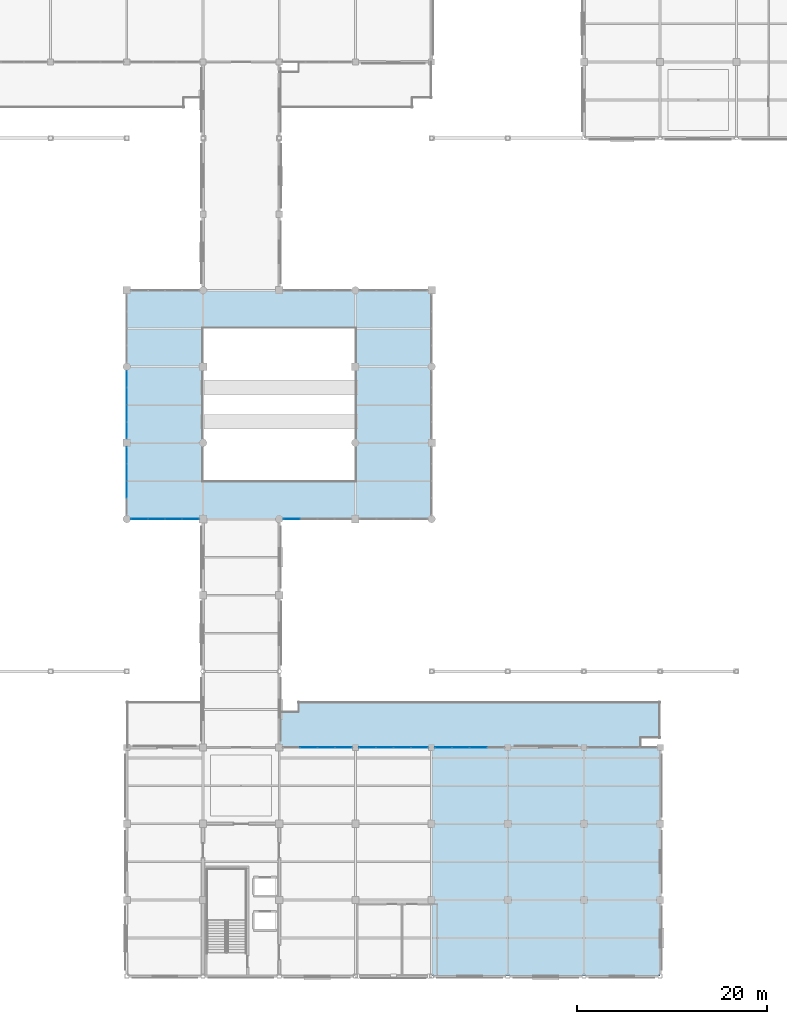
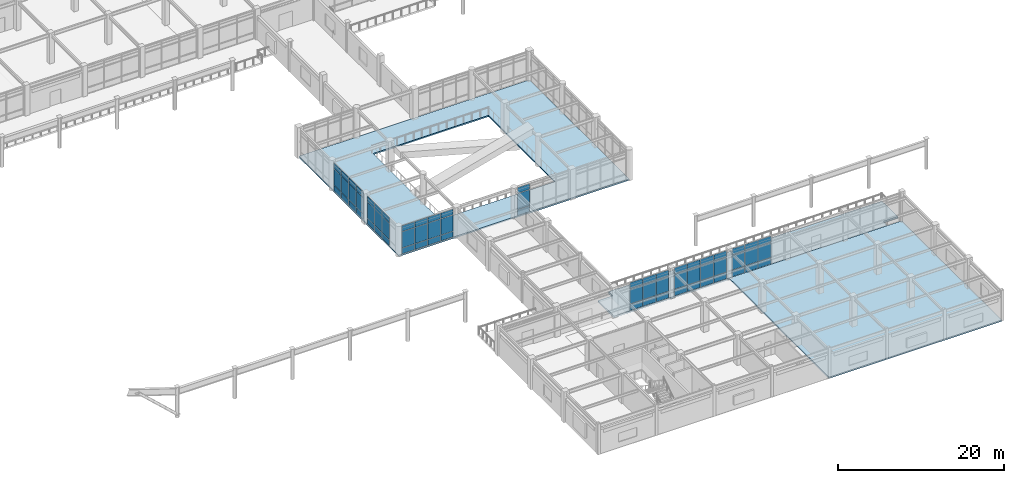
# One storey, part 55 of 78: 66 plates, 3 slabs, 7 elements without a shape of their own.
"""IFC4 building model written with IfcOpenShell, lengths in metres."""

from ifc_helpers import new_model, si_unit, direction, frame, origin, origin_2d, place, context, subcontext, project, spatial, polyline, rectangle, outline, extrude, material, layer, layer_set, type_object, element, aggregate, save


model = new_model("IFC4")

# Units and contexts
model_context = context("Model", 3, precision=1e-05, world=origin(), true_north=direction((0.0, 1.0)))
body_context = subcontext(model_context, "Body", "Model", "MODEL_VIEW")
ifc_project = project(units=[si_unit("LENGTHUNIT", "METRE"), si_unit("AREAUNIT", "SQUARE_METRE"), si_unit("VOLUMEUNIT", "CUBIC_METRE"), si_unit("PLANEANGLEUNIT", "RADIAN"), si_unit("MASSUNIT", "GRAM", prefix="KILO")], contexts=[model_context])

# Site, building, storey
site_placement = place(None, origin())
site = spatial("IfcSite", under=ifc_project, at=site_placement, CompositionType="ELEMENT")
building_placement = place(site_placement, origin())
building = spatial("IfcBuilding", under=site, at=building_placement, Name="Solmirada Galleria", CompositionType="ELEMENT")
storey_placement = place(building_placement, frame((0.0, 0.0, 23.89990234375)))
storey = spatial("IfcBuildingStorey", under=building, at=storey_placement, Name="L05", CompositionType="ELEMENT", Elevation=23.89990234375)

# Curtain wall, plates
ifc_material_1 = material(Name="Impact-resistant low-E double glazing", Category="glass")
curtain_wall_type_1 = type_object("IfcCurtainWallType", Name="CW-FZ3-L05-B4-L072", PredefinedType="NOTDEFINED", material=ifc_material_1)
curtain_wall_1_placement = place(storey_placement, origin())
curtain_wall_1 = element("IfcCurtainWall", 1, at=curtain_wall_1_placement, inside=storey, type_object=curtain_wall_type_1, Name="Terrace and arcade storefront CW-L05-163", PredefinedType="NOTDEFINED")
ifc_layer_1 = layer(ifc_material_1, 0.028076171875)
ifc_layer_set_1 = layer_set([ifc_layer_1], Name="Impact-resistant low-E double glazing")
plate_type_1 = type_object("IfcPlateType", Name="CW-PNL-CW33-T28", PredefinedType="CURTAIN_PANEL", material=ifc_layer_set_1)
plate_1_placement = place(storey_placement, frame((86.68359375, 48.0, 0.06005859375), z_axis=(0.0, 0.0, 1.0), x_axis=(-1.0, 0.0, 0.0)))
plate_1 = element("IfcPlate", 2, at=plate_1_placement, type_object=plate_type_1, Name="CW33 panel 1.1", PredefinedType="CURTAIN_PANEL", context=body_context, shape_type="SweptSolid", body=[
    extrude(rectangle(XDim=1.708984375, YDim=0.028076171875, at=origin_2d()), origin(), (0.0, 0.0, 1.0), 0.81005859375),
])
plate_2_placement = place(storey_placement, frame((86.68359375, 48.0, 0.929931640625), z_axis=(0.0, 0.0, 1.0), x_axis=(-1.0, 0.0, 0.0)))
plate_2 = element("IfcPlate", 3, at=plate_2_placement, type_object=plate_type_1, Name="CW33 panel 1.2", PredefinedType="CURTAIN_PANEL", context=body_context, shape_type="SweptSolid", body=[
    extrude(rectangle(XDim=1.708984375, YDim=0.028076171875, at=origin_2d()), origin(), (0.0, 0.0, 1.0), 2.35009765625),
])
plate_3_placement = place(storey_placement, frame((86.68359375, 48.0, 3.33984375), z_axis=(0.0, 0.0, 1.0), x_axis=(-1.0, 0.0, 0.0)))
plate_3 = element("IfcPlate", 4, at=plate_3_placement, type_object=plate_type_1, Name="CW33 panel 1.3", PredefinedType="CURTAIN_PANEL", context=body_context, shape_type="SweptSolid", body=[
    extrude(rectangle(XDim=1.708984375, YDim=0.028076171875, at=origin_2d()), origin(), (0.0, 0.0, 1.0), 0.820068359375),
])
plate_4_placement = place(storey_placement, frame((84.8994140625, 48.0, 0.06005859375), z_axis=(0.0, 0.0, 1.0), x_axis=(-1.0, 0.0, 0.0)))
plate_4 = element("IfcPlate", 5, at=plate_4_placement, type_object=plate_type_1, Name="CW33 panel 2.1", PredefinedType="CURTAIN_PANEL", context=body_context, shape_type="SweptSolid", body=[
    extrude(rectangle(XDim=1.739013671875, YDim=0.028076171875, at=origin_2d()), origin(), (0.0, 0.0, 1.0), 0.81005859375),
])
plate_5_placement = place(storey_placement, frame((84.8994140625, 48.0, 0.929931640625), z_axis=(0.0, 0.0, 1.0), x_axis=(-1.0, 0.0, 0.0)))
plate_5 = element("IfcPlate", 6, at=plate_5_placement, type_object=plate_type_1, Name="CW33 panel 2.2", PredefinedType="CURTAIN_PANEL", context=body_context, shape_type="SweptSolid", body=[
    extrude(rectangle(XDim=1.739013671875, YDim=0.028076171875, at=origin_2d()), origin(), (0.0, 0.0, 1.0), 2.35009765625),
])
plate_6_placement = place(storey_placement, frame((84.8994140625, 48.0, 3.33984375), z_axis=(0.0, 0.0, 1.0), x_axis=(-1.0, 0.0, 0.0)))
plate_6 = element("IfcPlate", 7, at=plate_6_placement, type_object=plate_type_1, Name="CW33 panel 2.3", PredefinedType="CURTAIN_PANEL", context=body_context, shape_type="SweptSolid", body=[
    extrude(rectangle(XDim=1.739013671875, YDim=0.028076171875, at=origin_2d()), origin(), (0.0, 0.0, 1.0), 0.820068359375),
])
plate_7_placement = place(storey_placement, frame((83.1005859375, 48.0, 0.06005859375), z_axis=(0.0, 0.0, 1.0), x_axis=(-1.0, 0.0, 0.0)))
plate_7 = element("IfcPlate", 8, at=plate_7_placement, type_object=plate_type_1, Name="CW33 panel 3.1", PredefinedType="CURTAIN_PANEL", context=body_context, shape_type="SweptSolid", body=[
    extrude(rectangle(XDim=1.739013671875, YDim=0.028076171875, at=origin_2d()), origin(), (0.0, 0.0, 1.0), 0.81005859375),
])
plate_8_placement = place(storey_placement, frame((83.1005859375, 48.0, 0.929931640625), z_axis=(0.0, 0.0, 1.0), x_axis=(-1.0, 0.0, 0.0)))
plate_8 = element("IfcPlate", 9, at=plate_8_placement, type_object=plate_type_1, Name="CW33 panel 3.2", PredefinedType="CURTAIN_PANEL", context=body_context, shape_type="SweptSolid", body=[
    extrude(rectangle(XDim=1.739013671875, YDim=0.028076171875, at=origin_2d()), origin(), (0.0, 0.0, 1.0), 2.35009765625),
])
plate_9_placement = place(storey_placement, frame((83.1005859375, 48.0, 3.33984375), z_axis=(0.0, 0.0, 1.0), x_axis=(-1.0, 0.0, 0.0)))
plate_9 = element("IfcPlate", 10, at=plate_9_placement, type_object=plate_type_1, Name="CW33 panel 3.3", PredefinedType="CURTAIN_PANEL", context=body_context, shape_type="SweptSolid", body=[
    extrude(rectangle(XDim=1.739013671875, YDim=0.028076171875, at=origin_2d()), origin(), (0.0, 0.0, 1.0), 0.820068359375),
])
plate_10_placement = place(storey_placement, frame((81.31640625, 48.0, 0.06005859375), z_axis=(0.0, 0.0, 1.0), x_axis=(-1.0, 0.0, 0.0)))
plate_10 = element("IfcPlate", 11, at=plate_10_placement, type_object=plate_type_1, Name="CW33 panel 4.1", PredefinedType="CURTAIN_PANEL", context=body_context, shape_type="SweptSolid", body=[
    extrude(rectangle(XDim=1.708984375, YDim=0.028076171875, at=origin_2d()), origin(), (0.0, 0.0, 1.0), 0.81005859375),
])
plate_11_placement = place(storey_placement, frame((81.31640625, 48.0, 0.929931640625), z_axis=(0.0, 0.0, 1.0), x_axis=(-1.0, 0.0, 0.0)))
plate_11 = element("IfcPlate", 12, at=plate_11_placement, type_object=plate_type_1, Name="CW33 panel 4.2", PredefinedType="CURTAIN_PANEL", context=body_context, shape_type="SweptSolid", body=[
    extrude(rectangle(XDim=1.708984375, YDim=0.028076171875, at=origin_2d()), origin(), (0.0, 0.0, 1.0), 2.35009765625),
])
plate_12_placement = place(storey_placement, frame((81.31640625, 48.0, 3.33984375), z_axis=(0.0, 0.0, 1.0), x_axis=(-1.0, 0.0, 0.0)))
plate_12 = element("IfcPlate", 13, at=plate_12_placement, type_object=plate_type_1, Name="CW33 panel 4.3", PredefinedType="CURTAIN_PANEL", context=body_context, shape_type="SweptSolid", body=[
    extrude(rectangle(XDim=1.708984375, YDim=0.028076171875, at=origin_2d()), origin(), (0.0, 0.0, 1.0), 0.820068359375),
])
aggregate(curtain_wall_1, [plate_1, plate_2, plate_3, plate_4, plate_5, plate_6, plate_7, plate_8, plate_9, plate_10, plate_11, plate_12])

curtain_wall_2_placement = place(storey_placement, origin())
curtain_wall_2 = element("IfcCurtainWall", 14, at=curtain_wall_2_placement, inside=storey, type_object=curtain_wall_type_1, Name="Terrace and arcade storefront CW-L05-164", PredefinedType="NOTDEFINED")
plate_13_placement = place(storey_placement, frame((80.0, 51.1005859375, 0.06005859375), z_axis=(0.0, 0.0, 1.0), x_axis=(0.0, 1.0, 0.0)))
plate_13 = element("IfcPlate", 15, at=plate_13_placement, type_object=plate_type_1, Name="CW33 panel 2.1", PredefinedType="CURTAIN_PANEL", context=body_context, shape_type="SweptSolid", body=[
    extrude(rectangle(XDim=1.739013671875, YDim=0.028076171875, at=origin_2d()), origin(), (0.0, 0.0, 1.0), 0.81005859375),
])
plate_14_placement = place(storey_placement, frame((80.0, 51.1005859375, 0.929931640625), z_axis=(0.0, 0.0, 1.0), x_axis=(0.0, 1.0, 0.0)))
plate_14 = element("IfcPlate", 16, at=plate_14_placement, type_object=plate_type_1, Name="CW33 panel 2.2", PredefinedType="CURTAIN_PANEL", context=body_context, shape_type="SweptSolid", body=[
    extrude(rectangle(XDim=1.739013671875, YDim=0.028076171875, at=origin_2d()), origin(), (0.0, 0.0, 1.0), 2.35009765625),
])
plate_15_placement = place(storey_placement, frame((80.0, 51.1005859375, 3.33984375), z_axis=(0.0, 0.0, 1.0), x_axis=(0.0, 1.0, 0.0)))
plate_15 = element("IfcPlate", 17, at=plate_15_placement, type_object=plate_type_1, Name="CW33 panel 2.3", PredefinedType="CURTAIN_PANEL", context=body_context, shape_type="SweptSolid", body=[
    extrude(rectangle(XDim=1.739013671875, YDim=0.028076171875, at=origin_2d()), origin(), (0.0, 0.0, 1.0), 0.820068359375),
])
plate_16_placement = place(storey_placement, frame((80.0, 52.8994140625, 0.06005859375), z_axis=(0.0, 0.0, 1.0), x_axis=(0.0, 1.0, 0.0)))
plate_16 = element("IfcPlate", 18, at=plate_16_placement, type_object=plate_type_1, Name="CW33 panel 3.1", PredefinedType="CURTAIN_PANEL", context=body_context, shape_type="SweptSolid", body=[
    extrude(rectangle(XDim=1.739013671875, YDim=0.028076171875, at=origin_2d()), origin(), (0.0, 0.0, 1.0), 0.81005859375),
])
plate_17_placement = place(storey_placement, frame((80.0, 52.8994140625, 0.929931640625), z_axis=(0.0, 0.0, 1.0), x_axis=(0.0, 1.0, 0.0)))
plate_17 = element("IfcPlate", 19, at=plate_17_placement, type_object=plate_type_1, Name="CW33 panel 3.2", PredefinedType="CURTAIN_PANEL", context=body_context, shape_type="SweptSolid", body=[
    extrude(rectangle(XDim=1.739013671875, YDim=0.028076171875, at=origin_2d()), origin(), (0.0, 0.0, 1.0), 2.35009765625),
])
plate_18_placement = place(storey_placement, frame((80.0, 52.8994140625, 3.33984375), z_axis=(0.0, 0.0, 1.0), x_axis=(0.0, 1.0, 0.0)))
plate_18 = element("IfcPlate", 20, at=plate_18_placement, type_object=plate_type_1, Name="CW33 panel 3.3", PredefinedType="CURTAIN_PANEL", context=body_context, shape_type="SweptSolid", body=[
    extrude(rectangle(XDim=1.739013671875, YDim=0.028076171875, at=origin_2d()), origin(), (0.0, 0.0, 1.0), 0.820068359375),
])
plate_19_placement = place(storey_placement, frame((80.0, 54.68359375, 0.06005859375), z_axis=(0.0, 0.0, 1.0), x_axis=(0.0, 1.0, 0.0)))
plate_19 = element("IfcPlate", 21, at=plate_19_placement, type_object=plate_type_1, Name="CW33 panel 4.1", PredefinedType="CURTAIN_PANEL", context=body_context, shape_type="SweptSolid", body=[
    extrude(rectangle(XDim=1.708984375, YDim=0.028076171875, at=origin_2d()), origin(), (0.0, 0.0, 1.0), 0.81005859375),
])
plate_20_placement = place(storey_placement, frame((80.0, 54.68359375, 0.929931640625), z_axis=(0.0, 0.0, 1.0), x_axis=(0.0, 1.0, 0.0)))
plate_20 = element("IfcPlate", 22, at=plate_20_placement, type_object=plate_type_1, Name="CW33 panel 4.2", PredefinedType="CURTAIN_PANEL", context=body_context, shape_type="SweptSolid", body=[
    extrude(rectangle(XDim=1.708984375, YDim=0.028076171875, at=origin_2d()), origin(), (0.0, 0.0, 1.0), 2.35009765625),
])
plate_21_placement = place(storey_placement, frame((80.0, 54.68359375, 3.33984375), z_axis=(0.0, 0.0, 1.0), x_axis=(0.0, 1.0, 0.0)))
plate_21 = element("IfcPlate", 23, at=plate_21_placement, type_object=plate_type_1, Name="CW33 panel 4.3", PredefinedType="CURTAIN_PANEL", context=body_context, shape_type="SweptSolid", body=[
    extrude(rectangle(XDim=1.708984375, YDim=0.028076171875, at=origin_2d()), origin(), (0.0, 0.0, 1.0), 0.820068359375),
])
aggregate(curtain_wall_2, [plate_13, plate_14, plate_15, plate_16, plate_17, plate_18, plate_19, plate_20, plate_21])

curtain_wall_3_placement = place(storey_placement, origin())
curtain_wall_3 = element("IfcCurtainWall", 24, at=curtain_wall_3_placement, inside=storey, type_object=curtain_wall_type_1, Name="Terrace and arcade storefront CW-L05-165", PredefinedType="NOTDEFINED")
plate_22_placement = place(storey_placement, frame((80.0, 57.31640625, 0.06005859375), z_axis=(0.0, 0.0, 1.0), x_axis=(0.0, 1.0, 0.0)))
plate_22 = element("IfcPlate", 25, at=plate_22_placement, type_object=plate_type_1, Name="CW33 panel 1.1", PredefinedType="CURTAIN_PANEL", context=body_context, shape_type="SweptSolid", body=[
    extrude(rectangle(XDim=1.708984375, YDim=0.028076171875, at=origin_2d()), origin(), (0.0, 0.0, 1.0), 0.81005859375),
])
plate_23_placement = place(storey_placement, frame((80.0, 57.31640625, 0.929931640625), z_axis=(0.0, 0.0, 1.0), x_axis=(0.0, 1.0, 0.0)))
plate_23 = element("IfcPlate", 26, at=plate_23_placement, type_object=plate_type_1, Name="CW33 panel 1.2", PredefinedType="CURTAIN_PANEL", context=body_context, shape_type="SweptSolid", body=[
    extrude(rectangle(XDim=1.708984375, YDim=0.028076171875, at=origin_2d()), origin(), (0.0, 0.0, 1.0), 2.35009765625),
])
plate_24_placement = place(storey_placement, frame((80.0, 57.31640625, 3.33984375), z_axis=(0.0, 0.0, 1.0), x_axis=(0.0, 1.0, 0.0)))
plate_24 = element("IfcPlate", 27, at=plate_24_placement, type_object=plate_type_1, Name="CW33 panel 1.3", PredefinedType="CURTAIN_PANEL", context=body_context, shape_type="SweptSolid", body=[
    extrude(rectangle(XDim=1.708984375, YDim=0.028076171875, at=origin_2d()), origin(), (0.0, 0.0, 1.0), 0.820068359375),
])
plate_25_placement = place(storey_placement, frame((80.0, 59.1005859375, 0.06005859375), z_axis=(0.0, 0.0, 1.0), x_axis=(0.0, 1.0, 0.0)))
plate_25 = element("IfcPlate", 28, at=plate_25_placement, type_object=plate_type_1, Name="CW33 panel 2.1", PredefinedType="CURTAIN_PANEL", context=body_context, shape_type="SweptSolid", body=[
    extrude(rectangle(XDim=1.739013671875, YDim=0.028076171875, at=origin_2d()), origin(), (0.0, 0.0, 1.0), 0.81005859375),
])
plate_26_placement = place(storey_placement, frame((80.0, 59.1005859375, 0.929931640625), z_axis=(0.0, 0.0, 1.0), x_axis=(0.0, 1.0, 0.0)))
plate_26 = element("IfcPlate", 29, at=plate_26_placement, type_object=plate_type_1, Name="CW33 panel 2.2", PredefinedType="CURTAIN_PANEL", context=body_context, shape_type="SweptSolid", body=[
    extrude(rectangle(XDim=1.739013671875, YDim=0.028076171875, at=origin_2d()), origin(), (0.0, 0.0, 1.0), 2.35009765625),
])
plate_27_placement = place(storey_placement, frame((80.0, 59.1005859375, 3.33984375), z_axis=(0.0, 0.0, 1.0), x_axis=(0.0, 1.0, 0.0)))
plate_27 = element("IfcPlate", 30, at=plate_27_placement, type_object=plate_type_1, Name="CW33 panel 2.3", PredefinedType="CURTAIN_PANEL", context=body_context, shape_type="SweptSolid", body=[
    extrude(rectangle(XDim=1.739013671875, YDim=0.028076171875, at=origin_2d()), origin(), (0.0, 0.0, 1.0), 0.820068359375),
])
plate_28_placement = place(storey_placement, frame((80.0, 60.8994140625, 0.06005859375), z_axis=(0.0, 0.0, 1.0), x_axis=(0.0, 1.0, 0.0)))
plate_28 = element("IfcPlate", 31, at=plate_28_placement, type_object=plate_type_1, Name="CW33 panel 3.1", PredefinedType="CURTAIN_PANEL", context=body_context, shape_type="SweptSolid", body=[
    extrude(rectangle(XDim=1.739013671875, YDim=0.028076171875, at=origin_2d()), origin(), (0.0, 0.0, 1.0), 0.81005859375),
])
plate_29_placement = place(storey_placement, frame((80.0, 60.8994140625, 0.929931640625), z_axis=(0.0, 0.0, 1.0), x_axis=(0.0, 1.0, 0.0)))
plate_29 = element("IfcPlate", 32, at=plate_29_placement, type_object=plate_type_1, Name="CW33 panel 3.2", PredefinedType="CURTAIN_PANEL", context=body_context, shape_type="SweptSolid", body=[
    extrude(rectangle(XDim=1.739013671875, YDim=0.028076171875, at=origin_2d()), origin(), (0.0, 0.0, 1.0), 2.35009765625),
])
plate_30_placement = place(storey_placement, frame((80.0, 60.8994140625, 3.33984375), z_axis=(0.0, 0.0, 1.0), x_axis=(0.0, 1.0, 0.0)))
plate_30 = element("IfcPlate", 33, at=plate_30_placement, type_object=plate_type_1, Name="CW33 panel 3.3", PredefinedType="CURTAIN_PANEL", context=body_context, shape_type="SweptSolid", body=[
    extrude(rectangle(XDim=1.739013671875, YDim=0.028076171875, at=origin_2d()), origin(), (0.0, 0.0, 1.0), 0.820068359375),
])
plate_31_placement = place(storey_placement, frame((80.0, 62.68359375, 0.06005859375), z_axis=(0.0, 0.0, 1.0), x_axis=(0.0, 1.0, 0.0)))
plate_31 = element("IfcPlate", 34, at=plate_31_placement, type_object=plate_type_1, Name="CW33 panel 4.1", PredefinedType="CURTAIN_PANEL", context=body_context, shape_type="SweptSolid", body=[
    extrude(rectangle(XDim=1.708984375, YDim=0.028076171875, at=origin_2d()), origin(), (0.0, 0.0, 1.0), 0.81005859375),
])
plate_32_placement = place(storey_placement, frame((80.0, 62.68359375, 0.929931640625), z_axis=(0.0, 0.0, 1.0), x_axis=(0.0, 1.0, 0.0)))
plate_32 = element("IfcPlate", 35, at=plate_32_placement, type_object=plate_type_1, Name="CW33 panel 4.2", PredefinedType="CURTAIN_PANEL", context=body_context, shape_type="SweptSolid", body=[
    extrude(rectangle(XDim=1.708984375, YDim=0.028076171875, at=origin_2d()), origin(), (0.0, 0.0, 1.0), 2.35009765625),
])
plate_33_placement = place(storey_placement, frame((80.0, 62.68359375, 3.33984375), z_axis=(0.0, 0.0, 1.0), x_axis=(0.0, 1.0, 0.0)))
plate_33 = element("IfcPlate", 36, at=plate_33_placement, type_object=plate_type_1, Name="CW33 panel 4.3", PredefinedType="CURTAIN_PANEL", context=body_context, shape_type="SweptSolid", body=[
    extrude(rectangle(XDim=1.708984375, YDim=0.028076171875, at=origin_2d()), origin(), (0.0, 0.0, 1.0), 0.820068359375),
])
aggregate(curtain_wall_3, [plate_22, plate_23, plate_24, plate_25, plate_26, plate_27, plate_28, plate_29, plate_30, plate_31, plate_32, plate_33])

curtain_wall_4_placement = place(storey_placement, origin())
curtain_wall_4 = element("IfcCurtainWall", 37, at=curtain_wall_4_placement, inside=storey, type_object=curtain_wall_type_1, Name="Terrace and arcade storefront CW-L05-180", PredefinedType="NOTDEFINED")
plate_34_placement = place(storey_placement, frame((97.31640625, 48.0, 0.06005859375), z_axis=(0.0, 0.0, 1.0), x_axis=(-1.0, 0.0, 0.0)))
plate_34 = element("IfcPlate", 38, at=plate_34_placement, type_object=plate_type_1, Name="CW33 panel 4.1", PredefinedType="CURTAIN_PANEL", context=body_context, shape_type="SweptSolid", body=[
    extrude(rectangle(XDim=1.708984375, YDim=0.028076171875, at=origin_2d()), origin(), (0.0, 0.0, 1.0), 0.81005859375),
])
plate_35_placement = place(storey_placement, frame((97.31640625, 48.0, 0.929931640625), z_axis=(0.0, 0.0, 1.0), x_axis=(-1.0, 0.0, 0.0)))
plate_35 = element("IfcPlate", 39, at=plate_35_placement, type_object=plate_type_1, Name="CW33 panel 4.2", PredefinedType="CURTAIN_PANEL", context=body_context, shape_type="SweptSolid", body=[
    extrude(rectangle(XDim=1.708984375, YDim=0.028076171875, at=origin_2d()), origin(), (0.0, 0.0, 1.0), 2.35009765625),
])
plate_36_placement = place(storey_placement, frame((97.31640625, 48.0, 3.33984375), z_axis=(0.0, 0.0, 1.0), x_axis=(-1.0, 0.0, 0.0)))
plate_36 = element("IfcPlate", 40, at=plate_36_placement, type_object=plate_type_1, Name="CW33 panel 4.3", PredefinedType="CURTAIN_PANEL", context=body_context, shape_type="SweptSolid", body=[
    extrude(rectangle(XDim=1.708984375, YDim=0.028076171875, at=origin_2d()), origin(), (0.0, 0.0, 1.0), 0.820068359375),
])
aggregate(curtain_wall_4, [plate_34, plate_35, plate_36])

curtain_wall_type_2 = type_object("IfcCurtainWallType", Name="CW-FZ5-L05-B4-L073", PredefinedType="NOTDEFINED", material=ifc_material_1)
curtain_wall_5_placement = place(storey_placement, origin())
curtain_wall_5 = element("IfcCurtainWall", 41, at=curtain_wall_5_placement, inside=storey, type_object=curtain_wall_type_2, Name="Terrace and arcade storefront CW-L05-181", PredefinedType="NOTDEFINED")
ifc_layer_2 = layer(ifc_material_1, 0.0419921875)
ifc_layer_set_2 = layer_set([ifc_layer_2], Name="Impact-resistant low-E double glazing")
plate_type_2 = type_object("IfcPlateType", Name="CW-PNL-CW36-T42", PredefinedType="CURTAIN_PANEL", material=ifc_layer_set_2)
plate_37_placement = place(storey_placement, frame((99.113037109375, 24.0, 0.06005859375), z_axis=(0.0, 0.0, 1.0), x_axis=(1.0, 0.0, 0.0)))
plate_37 = element("IfcPlate", 42, at=plate_37_placement, type_object=plate_type_2, Name="CW36 panel 2.1", PredefinedType="CURTAIN_PANEL", context=body_context, shape_type="SweptSolid", body=[
    extrude(rectangle(XDim=1.763916015625, YDim=0.0419921875, at=origin_2d()), origin(), (0.0, 0.0, 1.0), 0.929931640625),
])
plate_38_placement = place(storey_placement, frame((99.113037109375, 24.0, 1.050048828125), z_axis=(0.0, 0.0, 1.0), x_axis=(1.0, 0.0, 0.0)))
plate_38 = element("IfcPlate", 43, at=plate_38_placement, type_object=plate_type_2, Name="CW36 panel 2.2", PredefinedType="CURTAIN_PANEL", context=body_context, shape_type="SweptSolid", body=[
    extrude(rectangle(XDim=1.763916015625, YDim=0.0419921875, at=origin_2d()), origin(), (0.0, 0.0, 1.0), 2.1298828125),
])
plate_39_placement = place(storey_placement, frame((99.113037109375, 24.0, 3.240234375), z_axis=(0.0, 0.0, 1.0), x_axis=(1.0, 0.0, 0.0)))
plate_39 = element("IfcPlate", 44, at=plate_39_placement, type_object=plate_type_2, Name="CW36 panel 2.3", PredefinedType="CURTAIN_PANEL", context=body_context, shape_type="SweptSolid", body=[
    extrude(rectangle(XDim=1.763916015625, YDim=0.0419921875, at=origin_2d()), origin(), (0.0, 0.0, 1.0), 0.919921875),
])
plate_40_placement = place(storey_placement, frame((100.93701171875, 24.0, 0.06005859375), z_axis=(0.0, 0.0, 1.0), x_axis=(1.0, 0.0, 0.0)))
plate_40 = element("IfcPlate", 45, at=plate_40_placement, type_object=plate_type_2, Name="CW36 panel 3.1", PredefinedType="CURTAIN_PANEL", context=body_context, shape_type="SweptSolid", body=[
    extrude(rectangle(XDim=1.763916015625, YDim=0.0419921875, at=origin_2d()), origin(), (0.0, 0.0, 1.0), 0.929931640625),
])
plate_41_placement = place(storey_placement, frame((100.93701171875, 24.0, 1.050048828125), z_axis=(0.0, 0.0, 1.0), x_axis=(1.0, 0.0, 0.0)))
plate_41 = element("IfcPlate", 46, at=plate_41_placement, type_object=plate_type_2, Name="CW36 panel 3.2", PredefinedType="CURTAIN_PANEL", context=body_context, shape_type="SweptSolid", body=[
    extrude(rectangle(XDim=1.763916015625, YDim=0.0419921875, at=origin_2d()), origin(), (0.0, 0.0, 1.0), 2.1298828125),
])
plate_42_placement = place(storey_placement, frame((100.93701171875, 24.0, 3.240234375), z_axis=(0.0, 0.0, 1.0), x_axis=(1.0, 0.0, 0.0)))
plate_42 = element("IfcPlate", 47, at=plate_42_placement, type_object=plate_type_2, Name="CW36 panel 3.3", PredefinedType="CURTAIN_PANEL", context=body_context, shape_type="SweptSolid", body=[
    extrude(rectangle(XDim=1.763916015625, YDim=0.0419921875, at=origin_2d()), origin(), (0.0, 0.0, 1.0), 0.919921875),
])
plate_43_placement = place(storey_placement, frame((102.74609375, 24.0, 0.06005859375), z_axis=(0.0, 0.0, 1.0), x_axis=(1.0, 0.0, 0.0)))
plate_43 = element("IfcPlate", 48, at=plate_43_placement, type_object=plate_type_2, Name="CW36 panel 4.1", PredefinedType="CURTAIN_PANEL", context=body_context, shape_type="SweptSolid", body=[
    extrude(rectangle(XDim=1.73388671875, YDim=0.0419921875, at=origin_2d()), origin(), (0.0, 0.0, 1.0), 0.929931640625),
])
plate_44_placement = place(storey_placement, frame((102.74609375, 24.0, 1.050048828125), z_axis=(0.0, 0.0, 1.0), x_axis=(1.0, 0.0, 0.0)))
plate_44 = element("IfcPlate", 49, at=plate_44_placement, type_object=plate_type_2, Name="CW36 panel 4.2", PredefinedType="CURTAIN_PANEL", context=body_context, shape_type="SweptSolid", body=[
    extrude(rectangle(XDim=1.73388671875, YDim=0.0419921875, at=origin_2d()), origin(), (0.0, 0.0, 1.0), 2.1298828125),
])
plate_45_placement = place(storey_placement, frame((102.74609375, 24.0, 3.240234375), z_axis=(0.0, 0.0, 1.0), x_axis=(1.0, 0.0, 0.0)))
plate_45 = element("IfcPlate", 50, at=plate_45_placement, type_object=plate_type_2, Name="CW36 panel 4.3", PredefinedType="CURTAIN_PANEL", context=body_context, shape_type="SweptSolid", body=[
    extrude(rectangle(XDim=1.73388671875, YDim=0.0419921875, at=origin_2d()), origin(), (0.0, 0.0, 1.0), 0.919921875),
])
aggregate(curtain_wall_5, [plate_37, plate_38, plate_39, plate_40, plate_41, plate_42, plate_43, plate_44, plate_45])

curtain_wall_type_3 = type_object("IfcCurtainWallType", Name="CW-FZ5-L05-B4-L074", PredefinedType="NOTDEFINED", material=ifc_material_1)
curtain_wall_6_placement = place(storey_placement, origin())
curtain_wall_6 = element("IfcCurtainWall", 51, at=curtain_wall_6_placement, inside=storey, type_object=curtain_wall_type_3, Name="Terrace and arcade storefront CW-L05-182", PredefinedType="NOTDEFINED")
ifc_layer_3 = layer(ifc_material_1, 0.048095703125)
ifc_layer_set_3 = layer_set([ifc_layer_3], Name="Impact-resistant low-E double glazing")
plate_type_3 = type_object("IfcPlateType", Name="CW-PNL-CW37-T48", PredefinedType="CURTAIN_PANEL", material=ifc_layer_set_3)
plate_46_placement = place(storey_placement, frame((105.26025390625, 24.0, 0.06005859375), z_axis=(0.0, 0.0, 1.0), x_axis=(1.0, 0.0, 0.0)))
plate_46 = element("IfcPlate", 52, at=plate_46_placement, type_object=plate_type_3, Name="CW37 panel 1.1", PredefinedType="CURTAIN_PANEL", context=body_context, shape_type="SweptSolid", body=[
    extrude(rectangle(XDim=1.74658203125, YDim=0.048095703125, at=origin_2d()), origin(), (0.0, 0.0, 1.0), 0.929931640625),
])
plate_47_placement = place(storey_placement, frame((105.26025390625, 24.0, 1.050048828125), z_axis=(0.0, 0.0, 1.0), x_axis=(1.0, 0.0, 0.0)))
plate_47 = element("IfcPlate", 53, at=plate_47_placement, type_object=plate_type_3, Name="CW37 panel 1.2", PredefinedType="CURTAIN_PANEL", context=body_context, shape_type="SweptSolid", body=[
    extrude(rectangle(XDim=1.74658203125, YDim=0.048095703125, at=origin_2d()), origin(), (0.0, 0.0, 1.0), 2.1298828125),
])
plate_48_placement = place(storey_placement, frame((105.26025390625, 24.0, 3.240234375), z_axis=(0.0, 0.0, 1.0), x_axis=(1.0, 0.0, 0.0)))
plate_48 = element("IfcPlate", 54, at=plate_48_placement, type_object=plate_type_3, Name="CW37 panel 1.3", PredefinedType="CURTAIN_PANEL", context=body_context, shape_type="SweptSolid", body=[
    extrude(rectangle(XDim=1.74658203125, YDim=0.048095703125, at=origin_2d()), origin(), (0.0, 0.0, 1.0), 0.919921875),
])
plate_49_placement = place(storey_placement, frame((107.081787109375, 24.0, 0.06005859375), z_axis=(0.0, 0.0, 1.0), x_axis=(1.0, 0.0, 0.0)))
plate_49 = element("IfcPlate", 55, at=plate_49_placement, type_object=plate_type_3, Name="CW37 panel 2.1", PredefinedType="CURTAIN_PANEL", context=body_context, shape_type="SweptSolid", body=[
    extrude(rectangle(XDim=1.776611328125, YDim=0.048095703125, at=origin_2d()), origin(), (0.0, 0.0, 1.0), 0.929931640625),
])
plate_50_placement = place(storey_placement, frame((107.081787109375, 24.0, 1.050048828125), z_axis=(0.0, 0.0, 1.0), x_axis=(1.0, 0.0, 0.0)))
plate_50 = element("IfcPlate", 56, at=plate_50_placement, type_object=plate_type_3, Name="CW37 panel 2.2", PredefinedType="CURTAIN_PANEL", context=body_context, shape_type="SweptSolid", body=[
    extrude(rectangle(XDim=1.776611328125, YDim=0.048095703125, at=origin_2d()), origin(), (0.0, 0.0, 1.0), 2.1298828125),
])
plate_51_placement = place(storey_placement, frame((107.081787109375, 24.0, 3.240234375), z_axis=(0.0, 0.0, 1.0), x_axis=(1.0, 0.0, 0.0)))
plate_51 = element("IfcPlate", 57, at=plate_51_placement, type_object=plate_type_3, Name="CW37 panel 2.3", PredefinedType="CURTAIN_PANEL", context=body_context, shape_type="SweptSolid", body=[
    extrude(rectangle(XDim=1.776611328125, YDim=0.048095703125, at=origin_2d()), origin(), (0.0, 0.0, 1.0), 0.919921875),
])
plate_52_placement = place(storey_placement, frame((108.918212890625, 24.0, 0.06005859375), z_axis=(0.0, 0.0, 1.0), x_axis=(1.0, 0.0, 0.0)))
plate_52 = element("IfcPlate", 58, at=plate_52_placement, type_object=plate_type_3, Name="CW37 panel 3.1", PredefinedType="CURTAIN_PANEL", context=body_context, shape_type="SweptSolid", body=[
    extrude(rectangle(XDim=1.776611328125, YDim=0.048095703125, at=origin_2d()), origin(), (0.0, 0.0, 1.0), 0.929931640625),
])
plate_53_placement = place(storey_placement, frame((108.918212890625, 24.0, 1.050048828125), z_axis=(0.0, 0.0, 1.0), x_axis=(1.0, 0.0, 0.0)))
plate_53 = element("IfcPlate", 59, at=plate_53_placement, type_object=plate_type_3, Name="CW37 panel 3.2", PredefinedType="CURTAIN_PANEL", context=body_context, shape_type="SweptSolid", body=[
    extrude(rectangle(XDim=1.776611328125, YDim=0.048095703125, at=origin_2d()), origin(), (0.0, 0.0, 1.0), 2.1298828125),
])
plate_54_placement = place(storey_placement, frame((108.918212890625, 24.0, 3.240234375), z_axis=(0.0, 0.0, 1.0), x_axis=(1.0, 0.0, 0.0)))
plate_54 = element("IfcPlate", 60, at=plate_54_placement, type_object=plate_type_3, Name="CW37 panel 3.3", PredefinedType="CURTAIN_PANEL", context=body_context, shape_type="SweptSolid", body=[
    extrude(rectangle(XDim=1.776611328125, YDim=0.048095703125, at=origin_2d()), origin(), (0.0, 0.0, 1.0), 0.919921875),
])
plate_55_placement = place(storey_placement, frame((110.73974609375, 24.0, 0.06005859375), z_axis=(0.0, 0.0, 1.0), x_axis=(1.0, 0.0, 0.0)))
plate_55 = element("IfcPlate", 61, at=plate_55_placement, type_object=plate_type_3, Name="CW37 panel 4.1", PredefinedType="CURTAIN_PANEL", context=body_context, shape_type="SweptSolid", body=[
    extrude(rectangle(XDim=1.74658203125, YDim=0.048095703125, at=origin_2d()), origin(), (0.0, 0.0, 1.0), 0.929931640625),
])
plate_56_placement = place(storey_placement, frame((110.73974609375, 24.0, 1.050048828125), z_axis=(0.0, 0.0, 1.0), x_axis=(1.0, 0.0, 0.0)))
plate_56 = element("IfcPlate", 62, at=plate_56_placement, type_object=plate_type_3, Name="CW37 panel 4.2", PredefinedType="CURTAIN_PANEL", context=body_context, shape_type="SweptSolid", body=[
    extrude(rectangle(XDim=1.74658203125, YDim=0.048095703125, at=origin_2d()), origin(), (0.0, 0.0, 1.0), 2.1298828125),
])
plate_57_placement = place(storey_placement, frame((110.73974609375, 24.0, 3.240234375), z_axis=(0.0, 0.0, 1.0), x_axis=(1.0, 0.0, 0.0)))
plate_57 = element("IfcPlate", 63, at=plate_57_placement, type_object=plate_type_3, Name="CW37 panel 4.3", PredefinedType="CURTAIN_PANEL", context=body_context, shape_type="SweptSolid", body=[
    extrude(rectangle(XDim=1.74658203125, YDim=0.048095703125, at=origin_2d()), origin(), (0.0, 0.0, 1.0), 0.919921875),
])
aggregate(curtain_wall_6, [plate_46, plate_47, plate_48, plate_49, plate_50, plate_51, plate_52, plate_53, plate_54, plate_55, plate_56, plate_57])

curtain_wall_7_placement = place(storey_placement, origin())
curtain_wall_7 = element("IfcCurtainWall", 64, at=curtain_wall_7_placement, inside=storey, type_object=curtain_wall_type_3, Name="Terrace and arcade storefront CW-L05-183", PredefinedType="NOTDEFINED")
plate_58_placement = place(storey_placement, frame((113.26025390625, 24.0, 0.06005859375), z_axis=(0.0, 0.0, 1.0), x_axis=(1.0, 0.0, 0.0)))
plate_58 = element("IfcPlate", 65, at=plate_58_placement, type_object=plate_type_3, Name="CW37 panel 1.1", PredefinedType="CURTAIN_PANEL", context=body_context, shape_type="SweptSolid", body=[
    extrude(rectangle(XDim=1.74658203125, YDim=0.048095703125, at=origin_2d()), origin(), (0.0, 0.0, 1.0), 0.929931640625),
])
plate_59_placement = place(storey_placement, frame((113.26025390625, 24.0, 1.050048828125), z_axis=(0.0, 0.0, 1.0), x_axis=(1.0, 0.0, 0.0)))
plate_59 = element("IfcPlate", 66, at=plate_59_placement, type_object=plate_type_3, Name="CW37 panel 1.2", PredefinedType="CURTAIN_PANEL", context=body_context, shape_type="SweptSolid", body=[
    extrude(rectangle(XDim=1.74658203125, YDim=0.048095703125, at=origin_2d()), origin(), (0.0, 0.0, 1.0), 2.1298828125),
])
plate_60_placement = place(storey_placement, frame((113.26025390625, 24.0, 3.240234375), z_axis=(0.0, 0.0, 1.0), x_axis=(1.0, 0.0, 0.0)))
plate_60 = element("IfcPlate", 67, at=plate_60_placement, type_object=plate_type_3, Name="CW37 panel 1.3", PredefinedType="CURTAIN_PANEL", context=body_context, shape_type="SweptSolid", body=[
    extrude(rectangle(XDim=1.74658203125, YDim=0.048095703125, at=origin_2d()), origin(), (0.0, 0.0, 1.0), 0.919921875),
])
plate_61_placement = place(storey_placement, frame((115.081787109375, 24.0, 0.06005859375), z_axis=(0.0, 0.0, 1.0), x_axis=(1.0, 0.0, 0.0)))
plate_61 = element("IfcPlate", 68, at=plate_61_placement, type_object=plate_type_3, Name="CW37 panel 2.1", PredefinedType="CURTAIN_PANEL", context=body_context, shape_type="SweptSolid", body=[
    extrude(rectangle(XDim=1.776611328125, YDim=0.048095703125, at=origin_2d()), origin(), (0.0, 0.0, 1.0), 0.929931640625),
])
plate_62_placement = place(storey_placement, frame((115.081787109375, 24.0, 1.050048828125), z_axis=(0.0, 0.0, 1.0), x_axis=(1.0, 0.0, 0.0)))
plate_62 = element("IfcPlate", 69, at=plate_62_placement, type_object=plate_type_3, Name="CW37 panel 2.2", PredefinedType="CURTAIN_PANEL", context=body_context, shape_type="SweptSolid", body=[
    extrude(rectangle(XDim=1.776611328125, YDim=0.048095703125, at=origin_2d()), origin(), (0.0, 0.0, 1.0), 2.1298828125),
])
plate_63_placement = place(storey_placement, frame((115.081787109375, 24.0, 3.240234375), z_axis=(0.0, 0.0, 1.0), x_axis=(1.0, 0.0, 0.0)))
plate_63 = element("IfcPlate", 70, at=plate_63_placement, type_object=plate_type_3, Name="CW37 panel 2.3", PredefinedType="CURTAIN_PANEL", context=body_context, shape_type="SweptSolid", body=[
    extrude(rectangle(XDim=1.776611328125, YDim=0.048095703125, at=origin_2d()), origin(), (0.0, 0.0, 1.0), 0.919921875),
])
plate_64_placement = place(storey_placement, frame((116.918212890625, 24.0, 0.06005859375), z_axis=(0.0, 0.0, 1.0), x_axis=(1.0, 0.0, 0.0)))
plate_64 = element("IfcPlate", 71, at=plate_64_placement, type_object=plate_type_3, Name="CW37 panel 3.1", PredefinedType="CURTAIN_PANEL", context=body_context, shape_type="SweptSolid", body=[
    extrude(rectangle(XDim=1.776611328125, YDim=0.048095703125, at=origin_2d()), origin(), (0.0, 0.0, 1.0), 0.929931640625),
])
plate_65_placement = place(storey_placement, frame((116.918212890625, 24.0, 1.050048828125), z_axis=(0.0, 0.0, 1.0), x_axis=(1.0, 0.0, 0.0)))
plate_65 = element("IfcPlate", 72, at=plate_65_placement, type_object=plate_type_3, Name="CW37 panel 3.2", PredefinedType="CURTAIN_PANEL", context=body_context, shape_type="SweptSolid", body=[
    extrude(rectangle(XDim=1.776611328125, YDim=0.048095703125, at=origin_2d()), origin(), (0.0, 0.0, 1.0), 2.1298828125),
])
plate_66_placement = place(storey_placement, frame((116.918212890625, 24.0, 3.240234375), z_axis=(0.0, 0.0, 1.0), x_axis=(1.0, 0.0, 0.0)))
plate_66 = element("IfcPlate", 73, at=plate_66_placement, type_object=plate_type_3, Name="CW37 panel 3.3", PredefinedType="CURTAIN_PANEL", context=body_context, shape_type="SweptSolid", body=[
    extrude(rectangle(XDim=1.776611328125, YDim=0.048095703125, at=origin_2d()), origin(), (0.0, 0.0, 1.0), 0.919921875),
])
aggregate(curtain_wall_7, [plate_58, plate_59, plate_60, plate_61, plate_62, plate_63, plate_64, plate_65, plate_66])

# Slabs
ifc_material_2 = material(Name="Concrete C35/45", Category="concrete")
ifc_layer_4 = layer(ifc_material_2, 0.199951171875)
ifc_layer_set_4 = layer_set([ifc_layer_4], Name="Concrete C35/45")
slab_type_1 = type_object("IfcSlabType", Name="SLB-FLOOR-200", PredefinedType="FLOOR", material=ifc_layer_set_4)
slab_1_placement = place(storey_placement, frame((0.0, 0.0, -0.199951171875)))
element("IfcSlab", 74, at=slab_1_placement, inside=storey, type_object=slab_type_1, Name="Slab L05-SOUTH-E", PredefinedType="FLOOR", context=body_context, shape_type="SweptSolid", body=[
    extrude(outline(polyline([(112.0, 0.0), (136.0, 0.0), (136.0, 24.0), (112.0, 24.0), (112.0, 0.0)])), origin(), (0.0, 0.0, 1.0), 0.199951171875),
])
slab_2_placement = place(storey_placement, frame((0.0, 0.0, -0.199951171875)))
element("IfcSlab", 75, at=slab_2_placement, inside=storey, type_object=slab_type_1, Name="Slab L05-ATRIUM", PredefinedType="FLOOR", context=body_context, shape_type="SweptSolid", body=[
    extrude(outline(polyline([(80.0, 48.0), (112.0, 48.0), (112.0, 72.0), (80.0, 72.0), (80.0, 48.0)]), holes=[polyline([(88.0, 52.0), (104.0, 52.0), (104.0, 68.0), (88.0, 68.0), (88.0, 52.0)])]), origin(), (0.0, 0.0, 1.0), 0.199951171875),
])
ifc_layer_5 = layer(ifc_material_2, 0.239990234375)
ifc_layer_set_5 = layer_set([ifc_layer_5], Name="Concrete C35/45")
slab_type_2 = type_object("IfcSlabType", Name="SLB-TERR-240", PredefinedType="FLOOR", material=ifc_layer_set_5)
slab_3_placement = place(storey_placement, frame((0.0, 0.0, -0.239990234375)))
element("IfcSlab", 76, at=slab_3_placement, inside=storey, type_object=slab_type_2, Name="Slab L05-TERR-SE", PredefinedType="FLOOR", context=body_context, shape_type="SweptSolid", body=[
    extrude(outline(polyline([(96.0, 24.0), (134.0, 24.0), (134.0, 25.0), (136.0, 25.0), (136.0, 28.800048828125), (98.0, 28.800048828125), (98.0, 27.800048828125), (96.0, 27.800048828125), (96.0, 24.0)])), origin(), (0.0, 0.0, 1.0), 0.239990234375),
])

save(model, "model.ifc")
